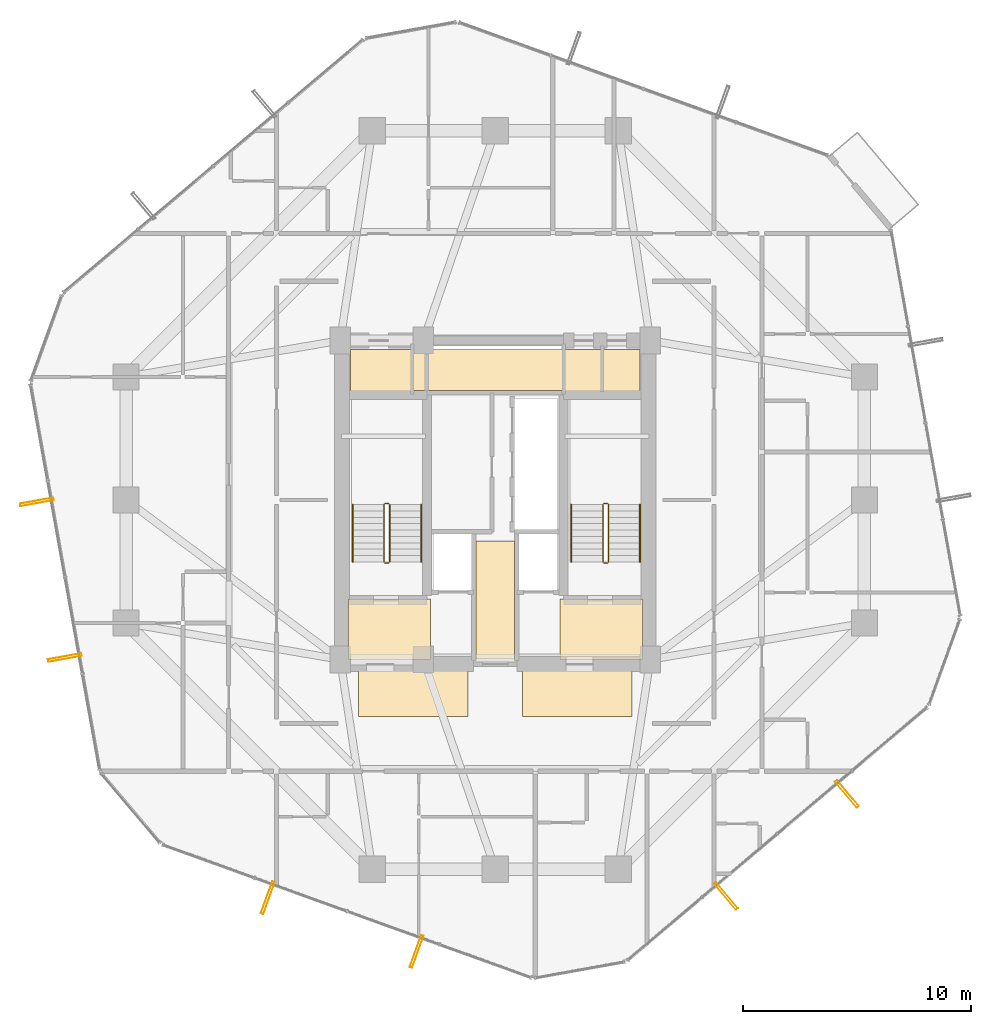
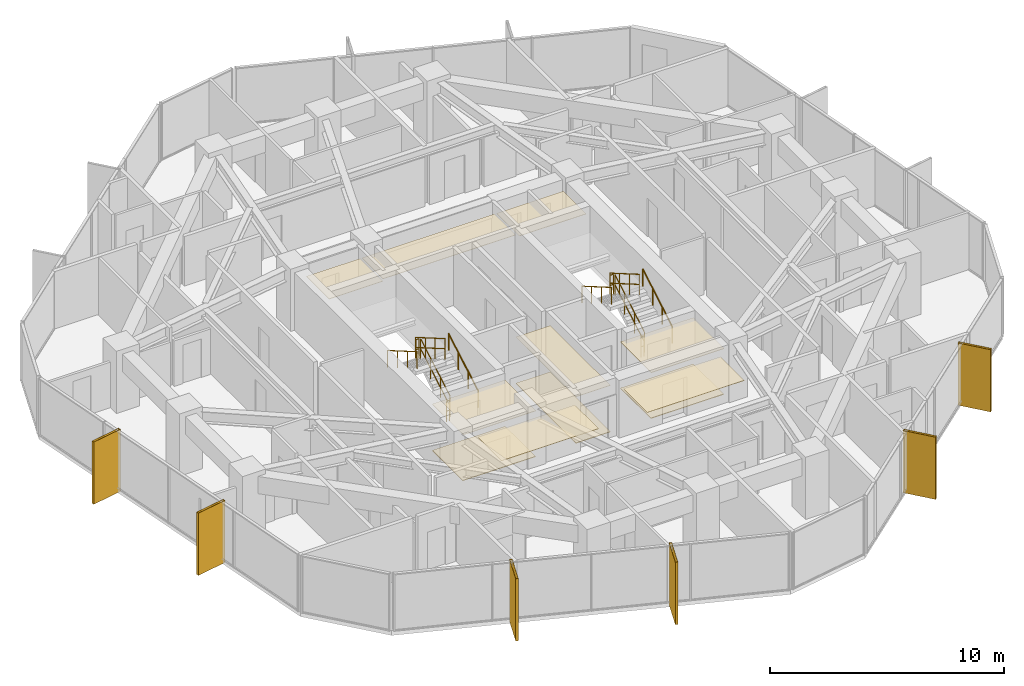
# One storey, part 35 of 36: 12 railings, 11 coverings, 6 shading devices.
"""IFC4 building model written with IfcOpenShell, lengths in metres."""

from ifc_helpers import new_model, si_unit, direction, frame, origin, origin_2d, place, context, subcontext, project, spatial, polyline, hollow_rectangle, circle, outline, extrude, material, layer, layer_set, material_profile, profile_set, type_object, element, save


model = new_model("IFC4")

# Units and contexts
model_context = context("Model", 3, precision=1e-05, world=origin(), true_north=direction((0.0, 1.0)))
body_context = subcontext(model_context, "Body", "Model", "MODEL_VIEW")
ifc_project = project(units=[si_unit("LENGTHUNIT", "METRE"), si_unit("AREAUNIT", "SQUARE_METRE"), si_unit("VOLUMEUNIT", "CUBIC_METRE"), si_unit("PLANEANGLEUNIT", "RADIAN"), si_unit("MASSUNIT", "GRAM", prefix="KILO")], contexts=[model_context])

# Site, building, storey
site_placement = place(None, origin())
site = spatial("IfcSite", under=ifc_project, at=site_placement, CompositionType="ELEMENT")
building_placement = place(site_placement, origin())
building = spatial("IfcBuilding", under=site, at=building_placement, Name="Veraguas Prism Commons", CompositionType="ELEMENT")
storey_placement = place(building_placement, frame((0.0, 0.0, 163.050048828125)))
storey = spatial("IfcBuildingStorey", under=building, at=storey_placement, Name="L46", CompositionType="ELEMENT", Elevation=163.050048828125)

# Shading devices
ifc_material_1 = material(Name="Anodised aluminium EN AW-6063 T6", Category="aluminium")
ifc_material_profile = material_profile(ifc_material_1, hollow_rectangle(XDim=0.1201171875, YDim=1.489990234375, WallThickness=0.006103515625, at=origin_2d()), Name="FIN120X1490X6")
ifc_profile_set = profile_set([ifc_material_profile], Name="Anodised aluminium EN AW-6063 T6")
shading_device_type = type_object("IfcShadingDeviceType", Name="Deep Pale-Metal Vertical Solar Fin 120x1490", PredefinedType="USERDEFINED", material=ifc_profile_set)
for number, where, z_axis, x_axis, name in (
    (1, (3.890869140625, 23.91552734375, -0.22998046875), (0.0, 0.0, 1.0), (0.176739462608, -0.984257670713, 0.0), "Vertical Pale-Metal Solar Fin L46-F3A"),
    (2, (5.117919921875, 17.0830078125, -0.22998046875), (0.0, 0.0, 1.0), (0.176739462608, -0.984257670713, 0.0), "Vertical Pale-Metal Solar Fin L46-F3B"),
    (3, (14.018798828125, 6.542724609375, -0.22998046875), (0.0, 0.0, 1.0), (0.940761878011, -0.339067970887, 0.0), "Vertical Pale-Metal Solar Fin L46-F4A"),
    (4, (20.54931640625, 4.18896484375, -0.22998046875), (0.0, 0.0, 1.0), (0.940761878011, -0.339067970887, 0.0), "Vertical Pale-Metal Solar Fin L46-F4B"),
    (5, (34.127685546875, 6.627197265625, -0.22998046875), (0.0, 0.0, 1.0), (0.764020163262, 0.645192366763, 0.0), "Vertical Pale-Metal Solar Fin L46-F5A"),
    (6, (39.431396484375, 11.10595703125, -0.22998046875), (0.0, 0.0, 1.0), (0.764020163262, 0.645192366763, 0.0), "Vertical Pale-Metal Solar Fin L46-F5B"),
):
    element("IfcShadingDevice", number, at=place(storey_placement, frame(where, z_axis=z_axis, x_axis=x_axis)), inside=storey, type_object=shading_device_type, Name=name, ObjectType="FIN", PredefinedType="USERDEFINED", context=body_context, shape_type="SweptSolid", body=[
        extrude(hollow_rectangle(XDim=0.1201171875, YDim=1.489990234375, WallThickness=0.006103515625, at=origin_2d()), origin(), (0.0, 0.0, 1.0), 3.25),
    ])

# Coverings
ifc_material_2 = material(Name="Acoustic gypsum board")
ifc_layer_1 = layer(ifc_material_2, 0.02490234375, Name="Perforated Acoustic Ceiling Tile 25")
ifc_layer_set_1 = layer_set([ifc_layer_1], Name="Acoustic gypsum board")
covering_type_1 = type_object("IfcCoveringType", Name="Perforated Acoustic Ceiling Tile 25", PredefinedType="USERDEFINED", material=ifc_layer_set_1)
covering_1_placement = place(storey_placement, frame((0.0, 0.0, 2.425048828125)))
element("IfcCovering", 7, at=covering_1_placement, inside=storey, type_object=covering_type_1, Name="East Lobby Acoustic Ceiling L46", ObjectType="ACOUSTIC CEILING", PredefinedType="USERDEFINED", context=body_context, shape_type="SweptSolid", body=[
    extrude(outline(polyline([(26.85009765625, 17.0), (30.449951171875, 17.0), (30.449951171875, 19.64990234375), (26.85009765625, 19.64990234375), (26.85009765625, 17.0)])), origin(), (0.0, 0.0, 1.0), 0.02490234375),
])
ifc_material_3 = material(Name="Terrazzo stone finish", Category="masonry")
ifc_layer_2 = layer(ifc_material_3, 0.030029296875, Name="Polished Terrazzo Floor Finish 30", Category="masonry")
ifc_layer_set_2 = layer_set([ifc_layer_2], Name="Terrazzo stone finish")
covering_type_2 = type_object("IfcCoveringType", Name="Polished Terrazzo Floor Finish 30", PredefinedType="FLOORING", material=ifc_layer_set_2)
covering_2_placement = place(storey_placement, origin())
element("IfcCovering", 8, at=covering_2_placement, inside=storey, type_object=covering_type_2, Name="Terrazzo Lobby Flooring L46", PredefinedType="FLOORING", context=body_context, shape_type="SweptSolid", body=[
    extrude(outline(polyline([(23.14990234375, 17.050048828125), (24.85009765625, 17.050048828125), (24.85009765625, 22.199951171875), (23.14990234375, 22.199951171875), (23.14990234375, 17.050048828125)])), origin(), (0.0, 0.0, 1.0), 0.030029296875),
])
covering_3_placement = place(storey_placement, origin())
element("IfcCovering", 9, at=covering_3_placement, inside=storey, type_object=covering_type_2, Name="West FF Lobby Terrazzo Flooring L46", PredefinedType="FLOORING", context=body_context, shape_type="SweptSolid", body=[
    extrude(outline(polyline([(17.550048828125, 17.050048828125), (21.14990234375, 17.050048828125), (21.14990234375, 19.64990234375), (17.550048828125, 19.64990234375), (17.550048828125, 17.050048828125)])), origin(), (0.0, 0.0, 1.0), 0.030029296875),
])
covering_4_placement = place(storey_placement, origin())
element("IfcCovering", 10, at=covering_4_placement, inside=storey, type_object=covering_type_2, Name="East FF Lobby Terrazzo Flooring L46", PredefinedType="FLOORING", context=body_context, shape_type="SweptSolid", body=[
    extrude(outline(polyline([(26.85009765625, 17.050048828125), (30.449951171875, 17.050048828125), (30.449951171875, 19.64990234375), (26.85009765625, 19.64990234375), (26.85009765625, 17.050048828125)])), origin(), (0.0, 0.0, 1.0), 0.030029296875),
])

# Railings
ifc_material_4 = material(Name="Stainless steel AISI 316", Category="steel")
railing_type_1 = type_object("IfcRailingType", Name="Stair and Ramp Stainless Handrail 900", PredefinedType="HANDRAIL", material=ifc_material_4)
railing_1_placement = place(storey_placement, frame((20.75, 21.280029296875, 0.162353515625)))
element("IfcRailing", 11, at=railing_1_placement, inside=storey, type_object=railing_type_1, Name="Stair Handrail ST-01 L46-1", PredefinedType="HANDRAIL", context=body_context, shape_type="SweptSolid", body=[
    extrude(circle(Radius=0.02392578125, at=origin_2d()), frame((0.0, 0.0, 0.8759765625), z_axis=(0.0, 0.864876961378, 0.501983905795), x_axis=(-1.0, 0.0, 0.0)), (0.0, 0.0, 1.0), 2.913818359375),
    extrude(circle(Radius=0.02099609375, at=origin_2d()), origin(), (0.0, 0.0, 1.0), 0.851806640625),
    extrude(circle(Radius=0.02099609375, at=origin_2d()), frame((0.0, 0.840087890625, 0.487548828125)), (0.0, 0.0, 1.0), 0.851806640625),
    extrude(circle(Radius=0.02099609375, at=origin_2d()), frame((0.0, 1.679931640625, 0.97509765625)), (0.0, 0.0, 1.0), 0.851806640625),
    extrude(circle(Radius=0.02099609375, at=origin_2d()), frame((0.0, 2.52001953125, 1.462646484375)), (0.0, 0.0, 1.0), 0.851806640625),
])
railing_2_placement = place(storey_placement, frame((17.739990234375, 23.800048828125, 1.787353515625)))
element("IfcRailing", 12, at=railing_2_placement, inside=storey, type_object=railing_type_1, Name="Stair Handrail ST-01 L46-2", PredefinedType="HANDRAIL", context=body_context, shape_type="SweptSolid", body=[
    extrude(circle(Radius=0.02392578125, at=origin_2d()), frame((0.0, 0.0, 0.8759765625), z_axis=(0.0, -0.864876961378, 0.501983905795), x_axis=(1.0, 0.0, 0.0)), (0.0, 0.0, 1.0), 2.913818359375),
    extrude(circle(Radius=0.02099609375, at=origin_2d()), origin(), (0.0, 0.0, 1.0), 0.851806640625),
    extrude(circle(Radius=0.02099609375, at=origin_2d()), frame((0.0, -0.840087890625, 0.487548828125)), (0.0, 0.0, 1.0), 0.851806640625),
    extrude(circle(Radius=0.02099609375, at=origin_2d()), frame((0.0, -1.679931640625, 0.97509765625)), (0.0, 0.0, 1.0), 0.851806640625),
    extrude(circle(Radius=0.02099609375, at=origin_2d()), frame((0.0, -2.52001953125, 1.462646484375)), (0.0, 0.0, 1.0), 0.851806640625),
])
railing_3_placement = place(storey_placement, frame((30.35009765625, 21.280029296875, 0.162353515625)))
element("IfcRailing", 13, at=railing_3_placement, inside=storey, type_object=railing_type_1, Name="Stair Handrail ST-02 L46-1", PredefinedType="HANDRAIL", context=body_context, shape_type="SweptSolid", body=[
    extrude(circle(Radius=0.02392578125, at=origin_2d()), frame((0.0, 0.0, 0.8759765625), z_axis=(0.0, 0.864876961378, 0.501983905795), x_axis=(-1.0, 0.0, 0.0)), (0.0, 0.0, 1.0), 2.913818359375),
    extrude(circle(Radius=0.02099609375, at=origin_2d()), origin(), (0.0, 0.0, 1.0), 0.851806640625),
    extrude(circle(Radius=0.02099609375, at=origin_2d()), frame((0.0, 0.840087890625, 0.487548828125)), (0.0, 0.0, 1.0), 0.851806640625),
    extrude(circle(Radius=0.02099609375, at=origin_2d()), frame((0.0, 1.679931640625, 0.97509765625)), (0.0, 0.0, 1.0), 0.851806640625),
    extrude(circle(Radius=0.02099609375, at=origin_2d()), frame((0.0, 2.52001953125, 1.462646484375)), (0.0, 0.0, 1.0), 0.851806640625),
])
railing_4_placement = place(storey_placement, frame((27.340087890625, 23.800048828125, 1.787353515625)))
element("IfcRailing", 14, at=railing_4_placement, inside=storey, type_object=railing_type_1, Name="Stair Handrail ST-02 L46-2", PredefinedType="HANDRAIL", context=body_context, shape_type="SweptSolid", body=[
    extrude(circle(Radius=0.02392578125, at=origin_2d()), frame((0.0, 0.0, 0.8759765625), z_axis=(0.0, -0.864876961378, 0.501983905795), x_axis=(1.0, 0.0, 0.0)), (0.0, 0.0, 1.0), 2.913818359375),
    extrude(circle(Radius=0.02099609375, at=origin_2d()), origin(), (0.0, 0.0, 1.0), 0.851806640625),
    extrude(circle(Radius=0.02099609375, at=origin_2d()), frame((0.0, -0.840087890625, 0.487548828125)), (0.0, 0.0, 1.0), 0.851806640625),
    extrude(circle(Radius=0.02099609375, at=origin_2d()), frame((0.0, -1.679931640625, 0.97509765625)), (0.0, 0.0, 1.0), 0.851806640625),
    extrude(circle(Radius=0.02099609375, at=origin_2d()), frame((0.0, -2.52001953125, 1.462646484375)), (0.0, 0.0, 1.0), 0.851806640625),
])
railing_type_2 = type_object("IfcRailingType", Name="Stairwell Safety Guardrail 1100", PredefinedType="GUARDRAIL", material=ifc_material_4)
railing_5_placement = place(storey_placement, frame((19.3701171875, 21.280029296875, 0.162353515625)))
element("IfcRailing", 15, at=railing_5_placement, inside=storey, type_object=railing_type_2, Name="Stair Guard ST-01 L46-1", PredefinedType="GUARDRAIL", context=body_context, shape_type="SweptSolid", body=[
    extrude(circle(Radius=0.02392578125, at=origin_2d()), frame((0.0, 0.0, 1.076171875), z_axis=(0.0, 0.864876961378, 0.501983905795), x_axis=(-1.0, 0.0, 0.0)), (0.0, 0.0, 1.0), 2.913818359375),
    extrude(circle(Radius=0.02392578125, at=origin_2d()), frame((0.0, 0.0, 0.550048828125), z_axis=(0.0, 0.864876961378, 0.501983905795), x_axis=(-1.0, 0.0, 0.0)), (0.0, 0.0, 1.0), 2.913818359375),
    extrude(circle(Radius=0.02099609375, at=origin_2d()), origin(), (0.0, 0.0, 1.0), 1.052001953125),
    extrude(circle(Radius=0.02099609375, at=origin_2d()), frame((0.0, 0.840087890625, 0.487548828125)), (0.0, 0.0, 1.0), 1.052001953125),
    extrude(circle(Radius=0.02099609375, at=origin_2d()), frame((0.0, 1.679931640625, 0.97509765625)), (0.0, 0.0, 1.0), 1.052001953125),
    extrude(circle(Radius=0.02099609375, at=origin_2d()), frame((0.0, 2.52001953125, 1.462646484375)), (0.0, 0.0, 1.0), 1.052001953125),
])
railing_6_placement = place(storey_placement, frame((19.320068359375, 23.85009765625, 1.625)))
element("IfcRailing", 16, at=railing_6_placement, inside=storey, type_object=railing_type_2, Name="Stair Guard ST-01 L46-2", PredefinedType="GUARDRAIL", context=body_context, shape_type="SweptSolid", body=[
    extrude(circle(Radius=0.02392578125, at=origin_2d()), frame((0.0, 0.0, 1.076171875), z_axis=(-1.0, 0.0, 0.0), x_axis=(0.0, -1.0, 0.0)), (0.0, 0.0, 1.0), 0.150146484375),
    extrude(circle(Radius=0.02392578125, at=origin_2d()), frame((0.0, 0.0, 0.550048828125), z_axis=(-1.0, 0.0, 0.0), x_axis=(0.0, -1.0, 0.0)), (0.0, 0.0, 1.0), 0.150146484375),
    extrude(circle(Radius=0.02099609375, at=origin_2d()), origin(), (0.0, 0.0, 1.0), 1.052001953125),
    extrude(circle(Radius=0.02099609375, at=origin_2d()), frame((-0.150146484375, 0.0, 0.0)), (0.0, 0.0, 1.0), 1.052001953125),
])
railing_7_placement = place(storey_placement, frame((19.1201171875, 23.800048828125, 1.787353515625)))
element("IfcRailing", 17, at=railing_7_placement, inside=storey, type_object=railing_type_2, Name="Stair Guard ST-01 L46-3", PredefinedType="GUARDRAIL", context=body_context, shape_type="SweptSolid", body=[
    extrude(circle(Radius=0.02392578125, at=origin_2d()), frame((0.0, 0.0, 1.076171875), z_axis=(0.0, -0.864876961378, 0.501983905795), x_axis=(1.0, 0.0, 0.0)), (0.0, 0.0, 1.0), 2.913818359375),
    extrude(circle(Radius=0.02392578125, at=origin_2d()), frame((0.0, 0.0, 0.550048828125), z_axis=(0.0, -0.864876961378, 0.501983905795), x_axis=(1.0, 0.0, 0.0)), (0.0, 0.0, 1.0), 2.913818359375),
    extrude(circle(Radius=0.02099609375, at=origin_2d()), origin(), (0.0, 0.0, 1.0), 1.052001953125),
    extrude(circle(Radius=0.02099609375, at=origin_2d()), frame((0.0, -0.840087890625, 0.487548828125)), (0.0, 0.0, 1.0), 1.052001953125),
    extrude(circle(Radius=0.02099609375, at=origin_2d()), frame((0.0, -1.679931640625, 0.97509765625)), (0.0, 0.0, 1.0), 1.052001953125),
    extrude(circle(Radius=0.02099609375, at=origin_2d()), frame((0.0, -2.52001953125, 1.462646484375)), (0.0, 0.0, 1.0), 1.052001953125),
])
railing_8_placement = place(storey_placement, frame((19.320068359375, 21.22998046875, 0.0)))
element("IfcRailing", 18, at=railing_8_placement, inside=storey, type_object=railing_type_2, Name="Stair Guard ST-01 L46-4", PredefinedType="GUARDRAIL", context=body_context, shape_type="SweptSolid", body=[
    extrude(circle(Radius=0.02392578125, at=origin_2d()), frame((0.0, 0.0, 1.076171875), z_axis=(-1.0, 0.0, 0.0), x_axis=(0.0, -1.0, 0.0)), (0.0, 0.0, 1.0), 0.150146484375),
    extrude(circle(Radius=0.02392578125, at=origin_2d()), frame((0.0, 0.0, 0.550048828125), z_axis=(-1.0, 0.0, 0.0), x_axis=(0.0, -1.0, 0.0)), (0.0, 0.0, 1.0), 0.150146484375),
    extrude(circle(Radius=0.02099609375, at=origin_2d()), origin(), (0.0, 0.0, 1.0), 1.052001953125),
    extrude(circle(Radius=0.02099609375, at=origin_2d()), frame((-0.150146484375, 0.0, 0.0)), (0.0, 0.0, 1.0), 1.052001953125),
])
railing_9_placement = place(storey_placement, frame((28.969970703125, 21.280029296875, 0.162353515625)))
element("IfcRailing", 19, at=railing_9_placement, inside=storey, type_object=railing_type_2, Name="Stair Guard ST-02 L46-1", PredefinedType="GUARDRAIL", context=body_context, shape_type="SweptSolid", body=[
    extrude(circle(Radius=0.02392578125, at=origin_2d()), frame((0.0, 0.0, 1.076171875), z_axis=(0.0, 0.864876961378, 0.501983905795), x_axis=(-1.0, 0.0, 0.0)), (0.0, 0.0, 1.0), 2.913818359375),
    extrude(circle(Radius=0.02392578125, at=origin_2d()), frame((0.0, 0.0, 0.550048828125), z_axis=(0.0, 0.864876961378, 0.501983905795), x_axis=(-1.0, 0.0, 0.0)), (0.0, 0.0, 1.0), 2.913818359375),
    extrude(circle(Radius=0.02099609375, at=origin_2d()), origin(), (0.0, 0.0, 1.0), 1.052001953125),
    extrude(circle(Radius=0.02099609375, at=origin_2d()), frame((0.0, 0.840087890625, 0.487548828125)), (0.0, 0.0, 1.0), 1.052001953125),
    extrude(circle(Radius=0.02099609375, at=origin_2d()), frame((0.0, 1.679931640625, 0.97509765625)), (0.0, 0.0, 1.0), 1.052001953125),
    extrude(circle(Radius=0.02099609375, at=origin_2d()), frame((0.0, 2.52001953125, 1.462646484375)), (0.0, 0.0, 1.0), 1.052001953125),
])
railing_10_placement = place(storey_placement, frame((28.919921875, 23.85009765625, 1.625)))
element("IfcRailing", 20, at=railing_10_placement, inside=storey, type_object=railing_type_2, Name="Stair Guard ST-02 L46-2", PredefinedType="GUARDRAIL", context=body_context, shape_type="SweptSolid", body=[
    extrude(circle(Radius=0.02392578125, at=origin_2d()), frame((0.0, 0.0, 1.076171875), z_axis=(-1.0, 0.0, 0.0), x_axis=(0.0, -1.0, 0.0)), (0.0, 0.0, 1.0), 0.14990234375),
    extrude(circle(Radius=0.02392578125, at=origin_2d()), frame((0.0, 0.0, 0.550048828125), z_axis=(-1.0, 0.0, 0.0), x_axis=(0.0, -1.0, 0.0)), (0.0, 0.0, 1.0), 0.14990234375),
    extrude(circle(Radius=0.02099609375, at=origin_2d()), origin(), (0.0, 0.0, 1.0), 1.052001953125),
    extrude(circle(Radius=0.02099609375, at=origin_2d()), frame((-0.14990234375, 0.0, 0.0)), (0.0, 0.0, 1.0), 1.052001953125),
])
railing_11_placement = place(storey_placement, frame((28.719970703125, 23.800048828125, 1.787353515625)))
element("IfcRailing", 21, at=railing_11_placement, inside=storey, type_object=railing_type_2, Name="Stair Guard ST-02 L46-3", PredefinedType="GUARDRAIL", context=body_context, shape_type="SweptSolid", body=[
    extrude(circle(Radius=0.02392578125, at=origin_2d()), frame((0.0, 0.0, 1.076171875), z_axis=(0.0, -0.864876961378, 0.501983905795), x_axis=(1.0, 0.0, 0.0)), (0.0, 0.0, 1.0), 2.913818359375),
    extrude(circle(Radius=0.02392578125, at=origin_2d()), frame((0.0, 0.0, 0.550048828125), z_axis=(0.0, -0.864876961378, 0.501983905795), x_axis=(1.0, 0.0, 0.0)), (0.0, 0.0, 1.0), 2.913818359375),
    extrude(circle(Radius=0.02099609375, at=origin_2d()), origin(), (0.0, 0.0, 1.0), 1.052001953125),
    extrude(circle(Radius=0.02099609375, at=origin_2d()), frame((0.0, -0.840087890625, 0.487548828125)), (0.0, 0.0, 1.0), 1.052001953125),
    extrude(circle(Radius=0.02099609375, at=origin_2d()), frame((0.0, -1.679931640625, 0.97509765625)), (0.0, 0.0, 1.0), 1.052001953125),
    extrude(circle(Radius=0.02099609375, at=origin_2d()), frame((0.0, -2.52001953125, 1.462646484375)), (0.0, 0.0, 1.0), 1.052001953125),
])
railing_12_placement = place(storey_placement, frame((28.919921875, 21.22998046875, 0.0)))
element("IfcRailing", 22, at=railing_12_placement, inside=storey, type_object=railing_type_2, Name="Stair Guard ST-02 L46-4", PredefinedType="GUARDRAIL", context=body_context, shape_type="SweptSolid", body=[
    extrude(circle(Radius=0.02392578125, at=origin_2d()), frame((0.0, 0.0, 1.076171875), z_axis=(-1.0, 0.0, 0.0), x_axis=(0.0, -1.0, 0.0)), (0.0, 0.0, 1.0), 0.14990234375),
    extrude(circle(Radius=0.02392578125, at=origin_2d()), frame((0.0, 0.0, 0.550048828125), z_axis=(-1.0, 0.0, 0.0), x_axis=(0.0, -1.0, 0.0)), (0.0, 0.0, 1.0), 0.14990234375),
    extrude(circle(Radius=0.02099609375, at=origin_2d()), origin(), (0.0, 0.0, 1.0), 1.052001953125),
    extrude(circle(Radius=0.02099609375, at=origin_2d()), frame((-0.14990234375, 0.0, 0.0)), (0.0, 0.0, 1.0), 1.052001953125),
])

# Coverings
ifc_layer_3 = layer(ifc_material_2, 0.02001953125, Name="Suspended Gypsum Ceiling 20")
ifc_layer_set_3 = layer_set([ifc_layer_3], Name="Acoustic gypsum board")
covering_type_3 = type_object("IfcCoveringType", Name="Suspended Gypsum Ceiling 20", PredefinedType="CEILING", material=ifc_layer_set_3)
covering_5_placement = place(storey_placement, frame((0.0, 0.0, 2.429931640625)))
element("IfcCovering", 23, at=covering_5_placement, inside=storey, type_object=covering_type_3, Name="West Lobby Suspended Gypsum Ceiling L46", PredefinedType="CEILING", context=body_context, shape_type="SweptSolid", body=[
    extrude(outline(polyline([(17.550048828125, 17.0), (21.14990234375, 17.0), (21.14990234375, 19.64990234375), (17.550048828125, 19.64990234375), (17.550048828125, 17.0)])), origin(), (0.0, 0.0, 1.0), 0.02001953125),
])
covering_6_placement = place(storey_placement, frame((0.0, 0.0, 2.429931640625)))
element("IfcCovering", 24, at=covering_6_placement, inside=storey, type_object=covering_type_3, Name="Core Lobby Acoustic Ceiling L46-1", PredefinedType="CEILING", context=body_context, shape_type="SweptSolid", body=[
    extrude(outline(polyline([(18.0, 14.5), (22.800048828125, 14.5), (22.800048828125, 16.550048828125), (18.0, 16.550048828125), (18.0, 14.5)])), origin(), (0.0, 0.0, 1.0), 0.02001953125),
])
covering_7_placement = place(storey_placement, frame((0.0, 0.0, 2.429931640625)))
element("IfcCovering", 25, at=covering_7_placement, inside=storey, type_object=covering_type_3, Name="Core Lobby Acoustic Ceiling L46-2", PredefinedType="CEILING", context=body_context, shape_type="SweptSolid", body=[
    extrude(outline(polyline([(25.199951171875, 14.5), (30.0, 14.5), (30.0, 16.550048828125), (25.199951171875, 16.550048828125), (25.199951171875, 14.5)])), origin(), (0.0, 0.0, 1.0), 0.02001953125),
])
covering_8_placement = place(storey_placement, frame((0.0, 0.0, 2.429931640625)))
element("IfcCovering", 26, at=covering_8_placement, inside=storey, type_object=covering_type_3, Name="Core Lobby Acoustic Ceiling L46-3", PredefinedType="CEILING", context=body_context, shape_type="SweptSolid", body=[
    extrude(outline(polyline([(23.14990234375, 17.050048828125), (24.85009765625, 17.050048828125), (24.85009765625, 22.199951171875), (23.14990234375, 22.199951171875), (23.14990234375, 17.050048828125)])), origin(), (0.0, 0.0, 1.0), 0.02001953125),
])
covering_9_placement = place(storey_placement, frame((0.0, 0.0, 2.429931640625)))
element("IfcCovering", 27, at=covering_9_placement, inside=storey, type_object=covering_type_3, Name="Core Lobby Acoustic Ceiling L46-4", PredefinedType="CEILING", context=body_context, shape_type="SweptSolid", body=[
    extrude(outline(polyline([(17.64990234375, 28.64990234375), (20.300048828125, 28.64990234375), (20.300048828125, 30.60009765625), (17.64990234375, 30.60009765625), (17.64990234375, 28.64990234375)])), origin(), (0.0, 0.0, 1.0), 0.02001953125),
])
covering_10_placement = place(storey_placement, frame((0.0, 0.0, 2.429931640625)))
element("IfcCovering", 28, at=covering_10_placement, inside=storey, type_object=covering_type_3, Name="Core Lobby Acoustic Ceiling L46-5", PredefinedType="CEILING", context=body_context, shape_type="SweptSolid", body=[
    extrude(outline(polyline([(27.050048828125, 28.64990234375), (30.35009765625, 28.64990234375), (30.35009765625, 30.60009765625), (27.050048828125, 30.60009765625), (27.050048828125, 28.64990234375)])), origin(), (0.0, 0.0, 1.0), 0.02001953125),
])
covering_11_placement = place(storey_placement, frame((0.0, 0.0, 2.429931640625)))
element("IfcCovering", 29, at=covering_11_placement, inside=storey, type_object=covering_type_3, Name="Core Lobby Acoustic Ceiling L46-6", PredefinedType="CEILING", context=body_context, shape_type="SweptSolid", body=[
    extrude(outline(polyline([(20.39990234375, 28.800048828125), (26.949951171875, 28.800048828125), (26.949951171875, 30.60009765625), (20.39990234375, 30.60009765625), (20.39990234375, 28.800048828125)])), origin(), (0.0, 0.0, 1.0), 0.02001953125),
])

save(model, "model.ifc")
